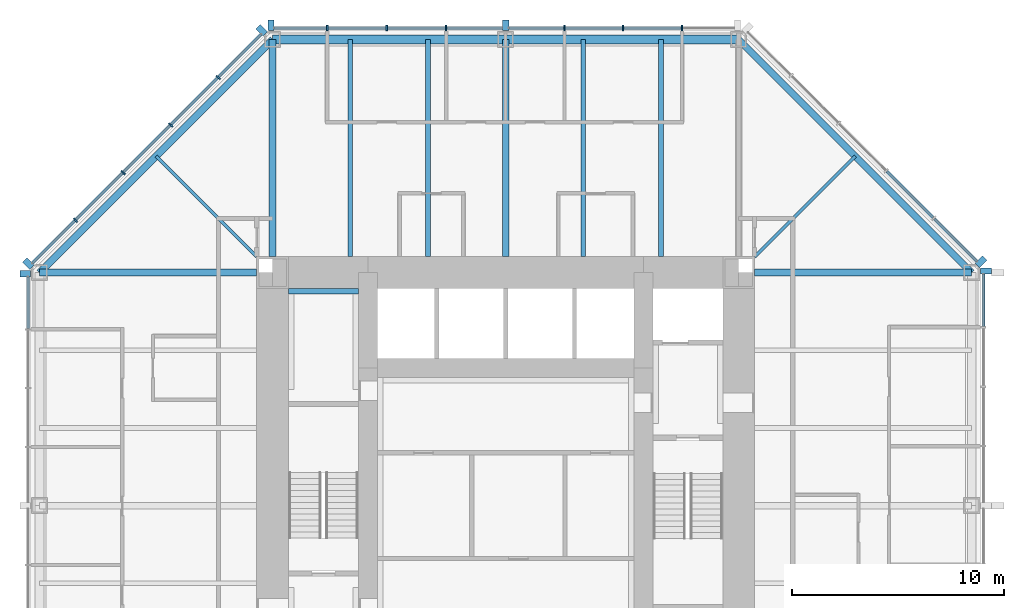
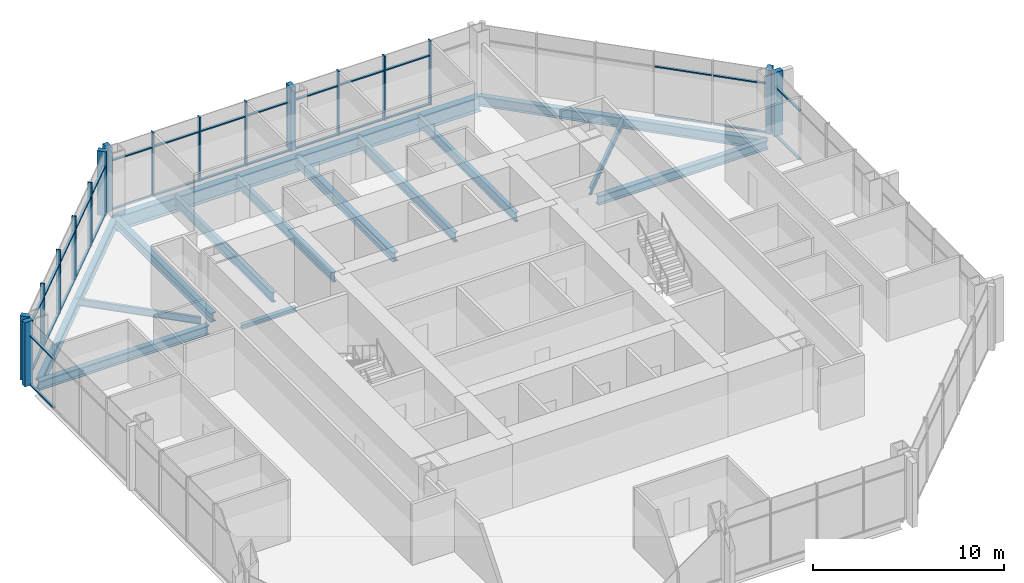
# One storey, part 5 of 12: 49 members, 15 beams, 5 elements without a shape of their own.
"""IFC4 building model written with IfcOpenShell, lengths in metres."""

from ifc_helpers import new_model, si_unit, direction, frame, origin, origin_2d, place, context, subcontext, project, spatial, rectangle, i_section, extrude, material, material_profile, profile_set, type_object, element, aggregate, save


model = new_model("IFC4")

# Units and contexts
model_context = context("Model", 3, precision=1e-05, world=origin(), true_north=direction((0.0, 1.0)))
body_context = subcontext(model_context, "Body", "Model", "MODEL_VIEW")
ifc_project = project(units=[si_unit("LENGTHUNIT", "METRE"), si_unit("AREAUNIT", "SQUARE_METRE"), si_unit("VOLUMEUNIT", "CUBIC_METRE"), si_unit("PLANEANGLEUNIT", "RADIAN"), si_unit("MASSUNIT", "GRAM", prefix="KILO")], contexts=[model_context])

# Site, building, storey
site_placement = place(None, origin())
site = spatial("IfcSite", under=ifc_project, at=site_placement, CompositionType="ELEMENT")
building_placement = place(site_placement, origin())
building = spatial("IfcBuilding", under=site, at=building_placement, Name="Trevanion Tower", CompositionType="ELEMENT")
storey_placement = place(building_placement, frame((0.0, 0.0, 133.60009765625)))
storey = spatial("IfcBuildingStorey", under=building, at=storey_placement, Name="L31", CompositionType="ELEMENT", Elevation=133.60009765625)

# Beams
ifc_material_1 = material(Name="Steel ASTM A992 Grade 50", Category="steel")
ifc_material_profile_1 = material_profile(ifc_material_1, i_section(OverallWidth=0.22900390625, OverallDepth=0.612060546875, WebThickness=0.011962890625, FlangeThickness=0.01953125, at=origin_2d()), Name="W24X84")
ifc_profile_set_1 = profile_set([ifc_material_profile_1], Name="Steel ASTM A992 Grade 50")
beam_type_1 = type_object("IfcBeamType", Name="B7 W24X84", PredefinedType="BEAM", material=ifc_profile_set_1)
for number, where, z_axis, x_axis, name in (
    (1, (7.333251953125, 11.75, -0.49609375), (0.0, 1.0, 0.0), (-1.0, 0.0, 0.0), "B7 L31"),
    (2, (3.666748046875, 11.75, -0.49609375), (0.0, 1.0, 0.0), (-1.0, 0.0, 0.0), "B7 L31"),
    (3, (-3.666748046875, 11.75, -0.49609375), (0.0, 1.0, 0.0), (-1.0, 0.0, 0.0), "B7 L31"),
    (4, (-7.333251953125, 11.75, -0.49609375), (0.0, 1.0, 0.0), (-1.0, 0.0, 0.0), "B7 L31"),
):
    element("IfcBeam", number, at=place(storey_placement, frame(where, z_axis=z_axis, x_axis=x_axis)), inside=storey, type_object=beam_type_1, Name=name, PredefinedType="BEAM", context=body_context, shape_type="SweptSolid", body=[
        extrude(i_section(OverallWidth=0.22900390625, OverallDepth=0.612060546875, WebThickness=0.011962890625, FlangeThickness=0.01953125, at=origin_2d()), origin(), (0.0, 0.0, 1.0), 10.25),
    ])
ifc_material_2 = material(Name="Steel ASTM A992 Grade 50", Category="steel")
ifc_material_profile_2 = material_profile(ifc_material_2, i_section(OverallWidth=0.15234375, OverallDepth=0.449462890625, WebThickness=0.007568359375, FlangeThickness=0.0107421875, at=origin_2d()), Name="W18X35")
ifc_profile_set_2 = profile_set([ifc_material_profile_2], Name="Steel ASTM A992 Grade 50")
beam_type_2 = type_object("IfcBeamType", Name="B8 W18X35", PredefinedType="BEAM", material=ifc_profile_set_2)
for number, where, z_axis, x_axis, name in (
    (5, (11.75, 11.75, -0.414794921875), (0.707106781187, 0.707106781187, 0.0), (-0.707106781187, 0.707106781187, 0.0), "B8 L31"),
    (6, (-11.75, 11.75, -0.414794921875), (-0.707106781187, 0.707106781187, 0.0), (-0.707106781187, -0.707106781187, 0.0), "B8 L31"),
):
    element("IfcBeam", number, at=place(storey_placement, frame(where, z_axis=z_axis, x_axis=x_axis)), inside=storey, type_object=beam_type_2, Name=name, PredefinedType="BEAM", context=body_context, shape_type="SweptSolid", body=[
        extrude(i_section(OverallWidth=0.15234375, OverallDepth=0.449462890625, WebThickness=0.007568359375, FlangeThickness=0.0107421875, at=origin_2d()), origin(), (0.0, 0.0, 1.0), 6.717529296875),
    ])

# Curtain wall, members
ifc_material_3 = material(Name="Aluminium and glass", Category="aluminium")
curtain_wall_type = type_object("IfcCurtainWallType", Name="CW2 curtain wall", PredefinedType="USERDEFINED", material=ifc_material_3)
curtain_wall_1_placement = place(storey_placement, origin())
curtain_wall_1 = element("IfcCurtainWall", 7, at=curtain_wall_1_placement, inside=storey, type_object=curtain_wall_type, Name="CW2 L31 2", ObjectType="UNITISED CURTAIN WALL", PredefinedType="USERDEFINED")
ifc_material_4 = material(Name="Aluminium extrusion, anodised bronze", Category="aluminium")
ifc_material_profile_3 = material_profile(ifc_material_4, rectangle(XDim=0.074951171875, YDim=0.25, at=origin_2d()), Name="CW2 mullion")
ifc_profile_set_3 = profile_set([ifc_material_profile_3], Name="Aluminium extrusion, anodised bronze")
member_type_1 = type_object("IfcMemberType", Name="CW2 mullion", PredefinedType="MULLION", material=ifc_profile_set_3)
member_1_placement = place(storey_placement, frame((8.323486328125, 22.550048828125, -0.190185546875), z_axis=(0.0, 0.0, 1.0), x_axis=(-1.0, 0.0, 0.0)))
member_1 = element("IfcMember", 8, at=member_1_placement, type_object=member_type_1, Name="CW2 mullion 2", PredefinedType="MULLION", context=body_context, shape_type="SweptSolid", body=[
    extrude(rectangle(XDim=0.074951171875, YDim=0.25, at=origin_2d()), origin(), (0.0, 0.0, 1.0), 4.10009765625),
])
member_2_placement = place(storey_placement, frame((5.548828125, 22.550048828125, -0.190185546875), z_axis=(0.0, 0.0, 1.0), x_axis=(-1.0, 0.0, 0.0)))
member_2 = element("IfcMember", 9, at=member_2_placement, type_object=member_type_1, Name="CW2 mullion 3", PredefinedType="MULLION", context=body_context, shape_type="SweptSolid", body=[
    extrude(rectangle(XDim=0.074951171875, YDim=0.25, at=origin_2d()), origin(), (0.0, 0.0, 1.0), 4.10009765625),
])
member_3_placement = place(storey_placement, frame((2.7744140625, 22.550048828125, -0.190185546875), z_axis=(0.0, 0.0, 1.0), x_axis=(-1.0, 0.0, 0.0)))
member_3 = element("IfcMember", 10, at=member_3_placement, type_object=member_type_1, Name="CW2 mullion 4", PredefinedType="MULLION", context=body_context, shape_type="SweptSolid", body=[
    extrude(rectangle(XDim=0.074951171875, YDim=0.25, at=origin_2d()), origin(), (0.0, 0.0, 1.0), 4.10009765625),
])
member_4_placement = place(storey_placement, frame((-2.806884765625, 22.550048828125, -0.190185546875), z_axis=(0.0, 0.0, 1.0), x_axis=(-1.0, 0.0, 0.0)))
member_4 = element("IfcMember", 11, at=member_4_placement, type_object=member_type_1, Name="CW2 mullion 6", PredefinedType="MULLION", context=body_context, shape_type="SweptSolid", body=[
    extrude(rectangle(XDim=0.074951171875, YDim=0.25, at=origin_2d()), origin(), (0.0, 0.0, 1.0), 4.10009765625),
])
member_5_placement = place(storey_placement, frame((-5.614013671875, 22.550048828125, -0.190185546875), z_axis=(0.0, 0.0, 1.0), x_axis=(-1.0, 0.0, 0.0)))
member_5 = element("IfcMember", 12, at=member_5_placement, type_object=member_type_1, Name="CW2 mullion 7", PredefinedType="MULLION", context=body_context, shape_type="SweptSolid", body=[
    extrude(rectangle(XDim=0.074951171875, YDim=0.25, at=origin_2d()), origin(), (0.0, 0.0, 1.0), 4.10009765625),
])
member_6_placement = place(storey_placement, frame((-8.4208984375, 22.550048828125, -0.190185546875), z_axis=(0.0, 0.0, 1.0), x_axis=(-1.0, 0.0, 0.0)))
member_6 = element("IfcMember", 13, at=member_6_placement, type_object=member_type_1, Name="CW2 mullion 8", PredefinedType="MULLION", context=body_context, shape_type="SweptSolid", body=[
    extrude(rectangle(XDim=0.074951171875, YDim=0.25, at=origin_2d()), origin(), (0.0, 0.0, 1.0), 4.10009765625),
])

curtain_wall_2_placement = place(storey_placement, origin())
curtain_wall_2 = element("IfcCurtainWall", 14, at=curtain_wall_2_placement, inside=storey, type_object=curtain_wall_type, Name="CW2 L31 3", ObjectType="UNITISED CURTAIN WALL", PredefinedType="USERDEFINED")
member_7_placement = place(storey_placement, frame((-13.56591796875, 20.2119140625, -0.190185546875), z_axis=(0.0, 0.0, 1.0), x_axis=(-0.707106781187, -0.707106781187, 0.0)))
member_7 = element("IfcMember", 15, at=member_7_placement, type_object=member_type_1, Name="CW2 mullion 2", PredefinedType="MULLION", context=body_context, shape_type="SweptSolid", body=[
    extrude(rectangle(XDim=0.074951171875, YDim=0.25, at=origin_2d()), origin(), (0.0, 0.0, 1.0), 4.10009765625),
])
member_8_placement = place(storey_placement, frame((-15.811767578125, 17.966064453125, -0.190185546875), z_axis=(0.0, 0.0, 1.0), x_axis=(-0.707106781187, -0.707106781187, 0.0)))
member_8 = element("IfcMember", 16, at=member_8_placement, type_object=member_type_1, Name="CW2 mullion 3", PredefinedType="MULLION", context=body_context, shape_type="SweptSolid", body=[
    extrude(rectangle(XDim=0.074951171875, YDim=0.25, at=origin_2d()), origin(), (0.0, 0.0, 1.0), 4.10009765625),
])
member_9_placement = place(storey_placement, frame((-18.057861328125, 15.719970703125, -0.190185546875), z_axis=(0.0, 0.0, 1.0), x_axis=(-0.707106781187, -0.707106781187, 0.0)))
member_9 = element("IfcMember", 17, at=member_9_placement, type_object=member_type_1, Name="CW2 mullion 4", PredefinedType="MULLION", context=body_context, shape_type="SweptSolid", body=[
    extrude(rectangle(XDim=0.074951171875, YDim=0.25, at=origin_2d()), origin(), (0.0, 0.0, 1.0), 4.10009765625),
])
member_10_placement = place(storey_placement, frame((-20.303955078125, 13.473876953125, -0.190185546875), z_axis=(0.0, 0.0, 1.0), x_axis=(-0.707106781187, -0.707106781187, 0.0)))
member_10 = element("IfcMember", 18, at=member_10_placement, type_object=member_type_1, Name="CW2 mullion 5", PredefinedType="MULLION", context=body_context, shape_type="SweptSolid", body=[
    extrude(rectangle(XDim=0.074951171875, YDim=0.25, at=origin_2d()), origin(), (0.0, 0.0, 1.0), 4.10009765625),
])

# Curtain wall, member
curtain_wall_3_placement = place(storey_placement, origin())
curtain_wall_3 = element("IfcCurtainWall", 19, at=curtain_wall_3_placement, inside=storey, type_object=curtain_wall_type, Name="CW2 L31 0", ObjectType="UNITISED CURTAIN WALL", PredefinedType="USERDEFINED")
ifc_material_5 = material(Name="Aluminium extrusion, anodised bronze", Category="aluminium")
ifc_material_profile_4 = material_profile(ifc_material_5, rectangle(XDim=0.300048828125, YDim=0.5, at=origin_2d()), Name="CW2 pier mullion")
ifc_profile_set_4 = profile_set([ifc_material_profile_4], Name="Aluminium extrusion, anodised bronze")
member_type_2 = type_object("IfcMemberType", Name="CW2 pier mullion", PredefinedType="MULLION", material=ifc_profile_set_4)
member_11_placement = place(storey_placement, frame((22.675048828125, 11.077880859375, -0.190185546875), z_axis=(0.0, 0.0, 1.0), x_axis=(0.0, 1.0, 0.0)))
member_11 = element("IfcMember", 20, at=member_11_placement, type_object=member_type_2, Name="CW2 pier mullion 9", PredefinedType="MULLION", context=body_context, shape_type="SweptSolid", body=[
    extrude(rectangle(XDim=0.300048828125, YDim=0.5, at=origin_2d()), origin(), (0.0, 0.0, 1.0), 4.10009765625),
])

curtain_wall_4_placement = place(storey_placement, origin())
curtain_wall_4 = element("IfcCurtainWall", 21, at=curtain_wall_4_placement, inside=storey, type_object=curtain_wall_type, Name="CW2 L31 1", ObjectType="UNITISED CURTAIN WALL", PredefinedType="USERDEFINED")
member_12_placement = place(storey_placement, frame((22.4404296875, 11.51416015625, -0.190185546875), z_axis=(0.0, 0.0, 1.0), x_axis=(-0.707106781187, 0.707106781187, 0.0)))
member_12 = element("IfcMember", 22, at=member_12_placement, type_object=member_type_2, Name="CW2 pier mullion 1", PredefinedType="MULLION", context=body_context, shape_type="SweptSolid", body=[
    extrude(rectangle(XDim=0.300048828125, YDim=0.5, at=origin_2d()), origin(), (0.0, 0.0, 1.0), 4.10009765625),
])

# Member
member_13_placement = place(storey_placement, frame((0.0, 22.675048828125, -0.190185546875), z_axis=(0.0, 0.0, 1.0), x_axis=(-1.0, 0.0, 0.0)))
member_13 = element("IfcMember", 23, at=member_13_placement, type_object=member_type_2, Name="CW2 pier mullion 5", PredefinedType="MULLION", context=body_context, shape_type="SweptSolid", body=[
    extrude(rectangle(XDim=0.300048828125, YDim=0.5, at=origin_2d()), origin(), (0.0, 0.0, 1.0), 4.10009765625),
])

member_14_placement = place(storey_placement, frame((-11.077880859375, 22.675048828125, -0.190185546875), z_axis=(0.0, 0.0, 1.0), x_axis=(-1.0, 0.0, 0.0)))
member_14 = element("IfcMember", 24, at=member_14_placement, type_object=member_type_2, Name="CW2 pier mullion 9", PredefinedType="MULLION", context=body_context, shape_type="SweptSolid", body=[
    extrude(rectangle(XDim=0.300048828125, YDim=0.5, at=origin_2d()), origin(), (0.0, 0.0, 1.0), 4.10009765625),
])

member_15_placement = place(storey_placement, frame((-11.51416015625, 22.4404296875, -0.190185546875), z_axis=(0.0, 0.0, 1.0), x_axis=(-0.707106781187, -0.707106781187, 0.0)))
member_15 = element("IfcMember", 25, at=member_15_placement, type_object=member_type_2, Name="CW2 pier mullion 1", PredefinedType="MULLION", context=body_context, shape_type="SweptSolid", body=[
    extrude(rectangle(XDim=0.300048828125, YDim=0.5, at=origin_2d()), origin(), (0.0, 0.0, 1.0), 4.10009765625),
])

member_16_placement = place(storey_placement, frame((-22.5322265625, 11.42236328125, -0.190185546875), z_axis=(0.0, 0.0, 1.0), x_axis=(-0.707106781187, -0.707106781187, 0.0)))
member_16 = element("IfcMember", 26, at=member_16_placement, type_object=member_type_2, Name="CW2 pier mullion 6", PredefinedType="MULLION", context=body_context, shape_type="SweptSolid", body=[
    extrude(rectangle(XDim=0.300048828125, YDim=0.5, at=origin_2d()), origin(), (0.0, 0.0, 1.0), 4.10009765625),
])

# Curtain wall, member
curtain_wall_5_placement = place(storey_placement, origin())
curtain_wall_5 = element("IfcCurtainWall", 27, at=curtain_wall_5_placement, inside=storey, type_object=curtain_wall_type, Name="CW2 L31 4", ObjectType="UNITISED CURTAIN WALL", PredefinedType="USERDEFINED")
member_17_placement = place(storey_placement, frame((-22.675048828125, 10.94775390625, -0.190185546875), z_axis=(0.0, 0.0, 1.0), x_axis=(0.0, -1.0, 0.0)))
member_17 = element("IfcMember", 28, at=member_17_placement, type_object=member_type_2, Name="CW2 pier mullion 1", PredefinedType="MULLION", context=body_context, shape_type="SweptSolid", body=[
    extrude(rectangle(XDim=0.300048828125, YDim=0.5, at=origin_2d()), origin(), (0.0, 0.0, 1.0), 4.10009765625),
])

# Member
ifc_material_6 = material(Name="Aluminium extrusion, anodised bronze", Category="aluminium")
ifc_material_profile_5 = material_profile(ifc_material_6, rectangle(XDim=0.14990234375, YDim=0.074951171875, at=origin_2d()), Name="CW2 transom")
ifc_profile_set_5 = profile_set([ifc_material_profile_5], Name="Aluminium extrusion, anodised bronze")
member_type_3 = type_object("IfcMemberType", Name="CW2 transom", PredefinedType="USERDEFINED", material=ifc_profile_set_5)
member_18_placement = place(storey_placement, frame((22.550048828125, 8.45849609375, -0.152587890625), z_axis=(0.0, 1.0, 0.0), x_axis=(-1.0, 0.0, 0.0)))
member_18 = element("IfcMember", 29, at=member_18_placement, type_object=member_type_3, Name="CW2 transom 8.1", ObjectType="TRANSOM", PredefinedType="USERDEFINED", context=body_context, shape_type="SweptSolid", body=[
    extrude(rectangle(XDim=0.14990234375, YDim=0.074951171875, at=origin_2d()), origin(), (0.0, 0.0, 1.0), 2.46923828125),
])

member_19_placement = place(storey_placement, frame((22.550048828125, 8.45849609375, 2.9599609375), z_axis=(0.0, 1.0, 0.0), x_axis=(-1.0, 0.0, 0.0)))
member_19 = element("IfcMember", 30, at=member_19_placement, type_object=member_type_3, Name="CW2 transom 8.2", ObjectType="TRANSOM", PredefinedType="USERDEFINED", context=body_context, shape_type="SweptSolid", body=[
    extrude(rectangle(XDim=0.14990234375, YDim=0.074951171875, at=origin_2d()), origin(), (0.0, 0.0, 1.0), 2.46923828125),
])

aggregate(curtain_wall_3, [member_11, member_18, member_19])

member_20_placement = place(storey_placement, frame((22.245849609375, 11.531982421875, -0.152587890625), z_axis=(-0.707106781187, 0.707106781187, 0.0), x_axis=(-0.707106781187, -0.707106781187, 0.0)))
member_20 = element("IfcMember", 31, at=member_20_placement, type_object=member_type_3, Name="CW2 transom 1.1", ObjectType="TRANSOM", PredefinedType="USERDEFINED", context=body_context, shape_type="SweptSolid", body=[
    extrude(rectangle(XDim=0.14990234375, YDim=0.074951171875, at=origin_2d()), origin(), (0.0, 0.0, 1.0), 2.8388671875),
])

member_21_placement = place(storey_placement, frame((22.245849609375, 11.531982421875, 2.9599609375), z_axis=(-0.707106781187, 0.707106781187, 0.0), x_axis=(-0.707106781187, -0.707106781187, 0.0)))
member_21 = element("IfcMember", 32, at=member_21_placement, type_object=member_type_3, Name="CW2 transom 1.2", ObjectType="TRANSOM", PredefinedType="USERDEFINED", context=body_context, shape_type="SweptSolid", body=[
    extrude(rectangle(XDim=0.14990234375, YDim=0.074951171875, at=origin_2d()), origin(), (0.0, 0.0, 1.0), 2.8388671875),
])

member_22_placement = place(storey_placement, frame((20.185546875, 13.59228515625, -0.152587890625), z_axis=(-0.707106781187, 0.707106781187, 0.0), x_axis=(-0.707106781187, -0.707106781187, 0.0)))
member_22 = element("IfcMember", 33, at=member_22_placement, type_object=member_type_3, Name="CW2 transom 2.1", ObjectType="TRANSOM", PredefinedType="USERDEFINED", context=body_context, shape_type="SweptSolid", body=[
    extrude(rectangle(XDim=0.14990234375, YDim=0.074951171875, at=origin_2d()), origin(), (0.0, 0.0, 1.0), 3.1015625),
])

member_23_placement = place(storey_placement, frame((20.185546875, 13.59228515625, 2.9599609375), z_axis=(-0.707106781187, 0.707106781187, 0.0), x_axis=(-0.707106781187, -0.707106781187, 0.0)))
member_23 = element("IfcMember", 34, at=member_23_placement, type_object=member_type_3, Name="CW2 transom 2.2", ObjectType="TRANSOM", PredefinedType="USERDEFINED", context=body_context, shape_type="SweptSolid", body=[
    extrude(rectangle(XDim=0.14990234375, YDim=0.074951171875, at=origin_2d()), origin(), (0.0, 0.0, 1.0), 3.1015625),
])

aggregate(curtain_wall_4, [member_12, member_20, member_21, member_22, member_23])

member_24_placement = place(storey_placement, frame((8.285888671875, 22.550048828125, -0.152587890625), z_axis=(-1.0, 0.0, 0.0), x_axis=(0.0, -1.0, 0.0)))
member_24 = element("IfcMember", 35, at=member_24_placement, type_object=member_type_3, Name="CW2 transom 2.1", ObjectType="TRANSOM", PredefinedType="USERDEFINED", context=body_context, shape_type="SweptSolid", body=[
    extrude(rectangle(XDim=0.14990234375, YDim=0.074951171875, at=origin_2d()), origin(), (0.0, 0.0, 1.0), 2.699462890625),
])

member_25_placement = place(storey_placement, frame((8.285888671875, 22.550048828125, 2.9599609375), z_axis=(-1.0, 0.0, 0.0), x_axis=(0.0, -1.0, 0.0)))
member_25 = element("IfcMember", 36, at=member_25_placement, type_object=member_type_3, Name="CW2 transom 2.2", ObjectType="TRANSOM", PredefinedType="USERDEFINED", context=body_context, shape_type="SweptSolid", body=[
    extrude(rectangle(XDim=0.14990234375, YDim=0.074951171875, at=origin_2d()), origin(), (0.0, 0.0, 1.0), 2.699462890625),
])

member_26_placement = place(storey_placement, frame((5.511474609375, 22.550048828125, -0.152587890625), z_axis=(-1.0, 0.0, 0.0), x_axis=(0.0, -1.0, 0.0)))
member_26 = element("IfcMember", 37, at=member_26_placement, type_object=member_type_3, Name="CW2 transom 3.1", ObjectType="TRANSOM", PredefinedType="USERDEFINED", context=body_context, shape_type="SweptSolid", body=[
    extrude(rectangle(XDim=0.14990234375, YDim=0.074951171875, at=origin_2d()), origin(), (0.0, 0.0, 1.0), 2.699462890625),
])

member_27_placement = place(storey_placement, frame((5.511474609375, 22.550048828125, 2.9599609375), z_axis=(-1.0, 0.0, 0.0), x_axis=(0.0, -1.0, 0.0)))
member_27 = element("IfcMember", 38, at=member_27_placement, type_object=member_type_3, Name="CW2 transom 3.2", ObjectType="TRANSOM", PredefinedType="USERDEFINED", context=body_context, shape_type="SweptSolid", body=[
    extrude(rectangle(XDim=0.14990234375, YDim=0.074951171875, at=origin_2d()), origin(), (0.0, 0.0, 1.0), 2.699462890625),
])

member_28_placement = place(storey_placement, frame((2.737060546875, 22.550048828125, -0.152587890625), z_axis=(-1.0, 0.0, 0.0), x_axis=(0.0, -1.0, 0.0)))
member_28 = element("IfcMember", 39, at=member_28_placement, type_object=member_type_3, Name="CW2 transom 4.1", ObjectType="TRANSOM", PredefinedType="USERDEFINED", context=body_context, shape_type="SweptSolid", body=[
    extrude(rectangle(XDim=0.14990234375, YDim=0.074951171875, at=origin_2d()), origin(), (0.0, 0.0, 1.0), 2.587158203125),
])

member_29_placement = place(storey_placement, frame((2.737060546875, 22.550048828125, 2.9599609375), z_axis=(-1.0, 0.0, 0.0), x_axis=(0.0, -1.0, 0.0)))
member_29 = element("IfcMember", 40, at=member_29_placement, type_object=member_type_3, Name="CW2 transom 4.2", ObjectType="TRANSOM", PredefinedType="USERDEFINED", context=body_context, shape_type="SweptSolid", body=[
    extrude(rectangle(XDim=0.14990234375, YDim=0.074951171875, at=origin_2d()), origin(), (0.0, 0.0, 1.0), 2.587158203125),
])

member_30_placement = place(storey_placement, frame((-0.14990234375, 22.550048828125, -0.152587890625), z_axis=(-1.0, 0.0, 0.0), x_axis=(0.0, -1.0, 0.0)))
member_30 = element("IfcMember", 41, at=member_30_placement, type_object=member_type_3, Name="CW2 transom 5.1", ObjectType="TRANSOM", PredefinedType="USERDEFINED", context=body_context, shape_type="SweptSolid", body=[
    extrude(rectangle(XDim=0.14990234375, YDim=0.074951171875, at=origin_2d()), origin(), (0.0, 0.0, 1.0), 2.619384765625),
])

member_31_placement = place(storey_placement, frame((-0.14990234375, 22.550048828125, 2.9599609375), z_axis=(-1.0, 0.0, 0.0), x_axis=(0.0, -1.0, 0.0)))
member_31 = element("IfcMember", 42, at=member_31_placement, type_object=member_type_3, Name="CW2 transom 5.2", ObjectType="TRANSOM", PredefinedType="USERDEFINED", context=body_context, shape_type="SweptSolid", body=[
    extrude(rectangle(XDim=0.14990234375, YDim=0.074951171875, at=origin_2d()), origin(), (0.0, 0.0, 1.0), 2.619384765625),
])

member_32_placement = place(storey_placement, frame((-2.844482421875, 22.550048828125, -0.152587890625), z_axis=(-1.0, 0.0, 0.0), x_axis=(0.0, -1.0, 0.0)))
member_32 = element("IfcMember", 43, at=member_32_placement, type_object=member_type_3, Name="CW2 transom 6.1", ObjectType="TRANSOM", PredefinedType="USERDEFINED", context=body_context, shape_type="SweptSolid", body=[
    extrude(rectangle(XDim=0.14990234375, YDim=0.074951171875, at=origin_2d()), origin(), (0.0, 0.0, 1.0), 2.73193359375),
])

member_33_placement = place(storey_placement, frame((-2.844482421875, 22.550048828125, 2.9599609375), z_axis=(-1.0, 0.0, 0.0), x_axis=(0.0, -1.0, 0.0)))
member_33 = element("IfcMember", 44, at=member_33_placement, type_object=member_type_3, Name="CW2 transom 6.2", ObjectType="TRANSOM", PredefinedType="USERDEFINED", context=body_context, shape_type="SweptSolid", body=[
    extrude(rectangle(XDim=0.14990234375, YDim=0.074951171875, at=origin_2d()), origin(), (0.0, 0.0, 1.0), 2.73193359375),
])

member_34_placement = place(storey_placement, frame((-5.6513671875, 22.550048828125, -0.152587890625), z_axis=(-1.0, 0.0, 0.0), x_axis=(0.0, -1.0, 0.0)))
member_34 = element("IfcMember", 45, at=member_34_placement, type_object=member_type_3, Name="CW2 transom 7.1", ObjectType="TRANSOM", PredefinedType="USERDEFINED", context=body_context, shape_type="SweptSolid", body=[
    extrude(rectangle(XDim=0.14990234375, YDim=0.074951171875, at=origin_2d()), origin(), (0.0, 0.0, 1.0), 2.73193359375),
])

member_35_placement = place(storey_placement, frame((-5.6513671875, 22.550048828125, 2.9599609375), z_axis=(-1.0, 0.0, 0.0), x_axis=(0.0, -1.0, 0.0)))
member_35 = element("IfcMember", 46, at=member_35_placement, type_object=member_type_3, Name="CW2 transom 7.2", ObjectType="TRANSOM", PredefinedType="USERDEFINED", context=body_context, shape_type="SweptSolid", body=[
    extrude(rectangle(XDim=0.14990234375, YDim=0.074951171875, at=origin_2d()), origin(), (0.0, 0.0, 1.0), 2.73193359375),
])

member_36_placement = place(storey_placement, frame((-8.45849609375, 22.550048828125, -0.152587890625), z_axis=(-1.0, 0.0, 0.0), x_axis=(0.0, -1.0, 0.0)))
member_36 = element("IfcMember", 47, at=member_36_placement, type_object=member_type_3, Name="CW2 transom 8.1", ObjectType="TRANSOM", PredefinedType="USERDEFINED", context=body_context, shape_type="SweptSolid", body=[
    extrude(rectangle(XDim=0.14990234375, YDim=0.074951171875, at=origin_2d()), origin(), (0.0, 0.0, 1.0), 2.46923828125),
])

member_37_placement = place(storey_placement, frame((-8.45849609375, 22.550048828125, 2.9599609375), z_axis=(-1.0, 0.0, 0.0), x_axis=(0.0, -1.0, 0.0)))
member_37 = element("IfcMember", 48, at=member_37_placement, type_object=member_type_3, Name="CW2 transom 8.2", ObjectType="TRANSOM", PredefinedType="USERDEFINED", context=body_context, shape_type="SweptSolid", body=[
    extrude(rectangle(XDim=0.14990234375, YDim=0.074951171875, at=origin_2d()), origin(), (0.0, 0.0, 1.0), 2.46923828125),
])

aggregate(curtain_wall_1, [member_1, member_2, member_3, member_13, member_4, member_5, member_6, member_14, member_24, member_25, member_26, member_27, member_28, member_29, member_30, member_31, member_32, member_33, member_34, member_35, member_36, member_37])

member_38_placement = place(storey_placement, frame((-11.531982421875, 22.245849609375, -0.152587890625), z_axis=(-0.707106781187, -0.707106781187, 0.0), x_axis=(0.707106781187, -0.707106781187, 0.0)))
member_38 = element("IfcMember", 49, at=member_38_placement, type_object=member_type_3, Name="CW2 transom 1.1", ObjectType="TRANSOM", PredefinedType="USERDEFINED", context=body_context, shape_type="SweptSolid", body=[
    extrude(rectangle(XDim=0.14990234375, YDim=0.074951171875, at=origin_2d()), origin(), (0.0, 0.0, 1.0), 2.8388671875),
])

member_39_placement = place(storey_placement, frame((-11.531982421875, 22.245849609375, 2.9599609375), z_axis=(-0.707106781187, -0.707106781187, 0.0), x_axis=(0.707106781187, -0.707106781187, 0.0)))
member_39 = element("IfcMember", 50, at=member_39_placement, type_object=member_type_3, Name="CW2 transom 1.2", ObjectType="TRANSOM", PredefinedType="USERDEFINED", context=body_context, shape_type="SweptSolid", body=[
    extrude(rectangle(XDim=0.14990234375, YDim=0.074951171875, at=origin_2d()), origin(), (0.0, 0.0, 1.0), 2.8388671875),
])

member_40_placement = place(storey_placement, frame((-13.59228515625, 20.185546875, -0.152587890625), z_axis=(-0.707106781187, -0.707106781187, 0.0), x_axis=(0.707106781187, -0.707106781187, 0.0)))
member_40 = element("IfcMember", 51, at=member_40_placement, type_object=member_type_3, Name="CW2 transom 2.1", ObjectType="TRANSOM", PredefinedType="USERDEFINED", context=body_context, shape_type="SweptSolid", body=[
    extrude(rectangle(XDim=0.14990234375, YDim=0.074951171875, at=origin_2d()), origin(), (0.0, 0.0, 1.0), 3.1015625),
])

member_41_placement = place(storey_placement, frame((-13.59228515625, 20.185546875, 2.9599609375), z_axis=(-0.707106781187, -0.707106781187, 0.0), x_axis=(0.707106781187, -0.707106781187, 0.0)))
member_41 = element("IfcMember", 52, at=member_41_placement, type_object=member_type_3, Name="CW2 transom 2.2", ObjectType="TRANSOM", PredefinedType="USERDEFINED", context=body_context, shape_type="SweptSolid", body=[
    extrude(rectangle(XDim=0.14990234375, YDim=0.074951171875, at=origin_2d()), origin(), (0.0, 0.0, 1.0), 3.1015625),
])

member_42_placement = place(storey_placement, frame((-15.83837890625, 17.939453125, -0.152587890625), z_axis=(-0.707106781187, -0.707106781187, 0.0), x_axis=(0.707106781187, -0.707106781187, 0.0)))
member_42 = element("IfcMember", 53, at=member_42_placement, type_object=member_type_3, Name="CW2 transom 3.1", ObjectType="TRANSOM", PredefinedType="USERDEFINED", context=body_context, shape_type="SweptSolid", body=[
    extrude(rectangle(XDim=0.14990234375, YDim=0.074951171875, at=origin_2d()), origin(), (0.0, 0.0, 1.0), 3.1015625),
])

member_43_placement = place(storey_placement, frame((-15.83837890625, 17.939453125, 2.9599609375), z_axis=(-0.707106781187, -0.707106781187, 0.0), x_axis=(0.707106781187, -0.707106781187, 0.0)))
member_43 = element("IfcMember", 54, at=member_43_placement, type_object=member_type_3, Name="CW2 transom 3.2", ObjectType="TRANSOM", PredefinedType="USERDEFINED", context=body_context, shape_type="SweptSolid", body=[
    extrude(rectangle(XDim=0.14990234375, YDim=0.074951171875, at=origin_2d()), origin(), (0.0, 0.0, 1.0), 3.1015625),
])

member_44_placement = place(storey_placement, frame((-18.08447265625, 15.693359375, -0.152587890625), z_axis=(-0.707106781187, -0.707106781187, 0.0), x_axis=(0.707106781187, -0.707106781187, 0.0)))
member_44 = element("IfcMember", 55, at=member_44_placement, type_object=member_type_3, Name="CW2 transom 4.1", ObjectType="TRANSOM", PredefinedType="USERDEFINED", context=body_context, shape_type="SweptSolid", body=[
    extrude(rectangle(XDim=0.14990234375, YDim=0.074951171875, at=origin_2d()), origin(), (0.0, 0.0, 1.0), 3.10107421875),
])

member_45_placement = place(storey_placement, frame((-18.08447265625, 15.693359375, 2.9599609375), z_axis=(-0.707106781187, -0.707106781187, 0.0), x_axis=(0.707106781187, -0.707106781187, 0.0)))
member_45 = element("IfcMember", 56, at=member_45_placement, type_object=member_type_3, Name="CW2 transom 4.2", ObjectType="TRANSOM", PredefinedType="USERDEFINED", context=body_context, shape_type="SweptSolid", body=[
    extrude(rectangle(XDim=0.14990234375, YDim=0.074951171875, at=origin_2d()), origin(), (0.0, 0.0, 1.0), 3.10107421875),
])

member_46_placement = place(storey_placement, frame((-20.33056640625, 13.447509765625, -0.152587890625), z_axis=(-0.707063781595, -0.707149778163, 0.0), x_axis=(0.707149778163, -0.707063781595, 0.0)))
member_46 = element("IfcMember", 57, at=member_46_placement, type_object=member_type_3, Name="CW2 transom 5.1", ObjectType="TRANSOM", PredefinedType="USERDEFINED", context=body_context, shape_type="SweptSolid", body=[
    extrude(rectangle(XDim=0.14990234375, YDim=0.074951171875, at=origin_2d()), origin(), (0.0, 0.0, 1.0), 2.8388671875),
])

member_47_placement = place(storey_placement, frame((-20.33056640625, 13.447509765625, 2.9599609375), z_axis=(-0.707063781595, -0.707149778163, 0.0), x_axis=(0.707149778163, -0.707063781595, 0.0)))
member_47 = element("IfcMember", 58, at=member_47_placement, type_object=member_type_3, Name="CW2 transom 5.2", ObjectType="TRANSOM", PredefinedType="USERDEFINED", context=body_context, shape_type="SweptSolid", body=[
    extrude(rectangle(XDim=0.14990234375, YDim=0.074951171875, at=origin_2d()), origin(), (0.0, 0.0, 1.0), 2.8388671875),
])

aggregate(curtain_wall_2, [member_15, member_7, member_8, member_9, member_10, member_16, member_38, member_39, member_40, member_41, member_42, member_43, member_44, member_45, member_46, member_47])

member_48_placement = place(storey_placement, frame((-22.550048828125, 10.7978515625, -0.152587890625), z_axis=(0.0, -1.0, 0.0), x_axis=(1.0, 0.0, 0.0)))
member_48 = element("IfcMember", 59, at=member_48_placement, type_object=member_type_3, Name="CW2 transom 1.1", ObjectType="TRANSOM", PredefinedType="USERDEFINED", context=body_context, shape_type="SweptSolid", body=[
    extrude(rectangle(XDim=0.14990234375, YDim=0.074951171875, at=origin_2d()), origin(), (0.0, 0.0, 1.0), 2.43701171875),
])

member_49_placement = place(storey_placement, frame((-22.550048828125, 10.7978515625, 2.9599609375), z_axis=(0.0, -1.0, 0.0), x_axis=(1.0, 0.0, 0.0)))
member_49 = element("IfcMember", 60, at=member_49_placement, type_object=member_type_3, Name="CW2 transom 1.2", ObjectType="TRANSOM", PredefinedType="USERDEFINED", context=body_context, shape_type="SweptSolid", body=[
    extrude(rectangle(XDim=0.14990234375, YDim=0.074951171875, at=origin_2d()), origin(), (0.0, 0.0, 1.0), 2.43701171875),
])

aggregate(curtain_wall_5, [member_17, member_48, member_49])

# Beams
ifc_material_7 = material(Name="Steel ASTM A992 Grade 50", Category="steel")
ifc_material_profile_6 = material_profile(ifc_material_7, i_section(OverallWidth=0.320068359375, OverallDepth=0.584228515625, WebThickness=0.023193359375, FlangeThickness=0.04150390625, at=origin_2d()), Name="W21X201")
ifc_profile_set_6 = profile_set([ifc_material_profile_6], Name="Steel ASTM A992 Grade 50")
beam_type_3 = type_object("IfcBeamType", Name="G4 W21X201", PredefinedType="BEAM", material=ifc_profile_set_6)
for number, where, z_axis, x_axis, name in (
    (61, (11.75, 11.0, -0.482177734375), (1.0, 0.0, 0.0), (0.0, 1.0, 0.0), "G4 L31"),
    (62, (0.0, 11.75, -0.482177734375), (0.0, 1.0, 0.0), (-1.0, 0.0, 0.0), "G4 L31"),
    (63, (-11.0, 11.75, -0.482177734375), (0.0, 1.0, 0.0), (-1.0, 0.0, 0.0), "G4 L31"),
    (64, (-11.75, 11.0, -0.482177734375), (-1.0, 0.0, 0.0), (0.0, -1.0, 0.0), "G4 L31"),
):
    element("IfcBeam", number, at=place(storey_placement, frame(where, z_axis=z_axis, x_axis=x_axis)), inside=storey, type_object=beam_type_3, Name=name, PredefinedType="BEAM", context=body_context, shape_type="SweptSolid", body=[
        extrude(i_section(OverallWidth=0.320068359375, OverallDepth=0.584228515625, WebThickness=0.023193359375, FlangeThickness=0.04150390625, at=origin_2d()), origin(), (0.0, 0.0, 1.0), 10.25),
    ])
ifc_material_8 = material(Name="Steel ASTM A992 Grade 50", Category="steel")
ifc_material_profile_7 = material_profile(ifc_material_8, i_section(OverallWidth=0.256591796875, OverallDepth=0.26416015625, WebThickness=0.011962890625, FlangeThickness=0.01953125, at=origin_2d()), Name="W10X68")
ifc_profile_set_7 = profile_set([ifc_material_profile_7], Name="Steel ASTM A992 Grade 50")
beam_type_4 = type_object("IfcBeamType", Name="LB1 W10X68", PredefinedType="BEAM", material=ifc_profile_set_7)
beam_placement = place(storey_placement, frame((-10.25, 10.12158203125, -0.332275390625), z_axis=(1.0, 0.0, 0.0), x_axis=(0.0, 1.0, 0.0)))
element("IfcBeam", 65, at=beam_placement, inside=storey, type_object=beam_type_4, Name="LB1 L31", PredefinedType="BEAM", context=body_context, shape_type="SweptSolid", body=[
    extrude(i_section(OverallWidth=0.256591796875, OverallDepth=0.26416015625, WebThickness=0.011962890625, FlangeThickness=0.01953125, at=origin_2d()), origin(), (0.0, 0.0, 1.0), 3.300048828125),
])
ifc_material_9 = material(Name="Steel ASTM A992 Grade 50", Category="steel")
ifc_material_profile_8 = material_profile(ifc_material_9, i_section(OverallWidth=0.419189453125, OverallDepth=0.927001953125, WebThickness=0.019287109375, FlangeThickness=0.031982421875, at=origin_2d()), Name="W36X231")
ifc_profile_set_8 = profile_set([ifc_material_profile_8], Name="Steel ASTM A992 Grade 50")
beam_type_5 = type_object("IfcBeamType", Name="SB4 W36X231", PredefinedType="SPANDREL", material=ifc_profile_set_8)
for number, where, z_axis, x_axis, name in (
    (66, (11.0, 22.0, -0.65380859375), (-1.0, 0.0, 0.0), (0.0, -1.0, 0.0), "SB4 L31"),
    (67, (0.0, 22.0, -0.65380859375), (-1.0, 0.0, 0.0), (0.0, -1.0, 0.0), "SB4 L31"),
):
    element("IfcBeam", number, at=place(storey_placement, frame(where, z_axis=z_axis, x_axis=x_axis)), inside=storey, type_object=beam_type_5, Name=name, PredefinedType="SPANDREL", context=body_context, shape_type="SweptSolid", body=[
        extrude(i_section(OverallWidth=0.419189453125, OverallDepth=0.927001953125, WebThickness=0.019287109375, FlangeThickness=0.031982421875, at=origin_2d()), origin(), (0.0, 0.0, 1.0), 11.0),
    ])
ifc_material_10 = material(Name="Steel ASTM A992 Grade 50", Category="steel")
ifc_material_profile_9 = material_profile(ifc_material_10, i_section(OverallWidth=0.32763671875, OverallDepth=0.62744140625, WebThickness=0.0166015625, FlangeThickness=0.027587890625, at=origin_2d()), Name="W24X146")
ifc_profile_set_9 = profile_set([ifc_material_profile_9], Name="Steel ASTM A992 Grade 50")
beam_type_6 = type_object("IfcBeamType", Name="SB5 W24X146", PredefinedType="SPANDREL", material=ifc_profile_set_9)
for number, where, z_axis, x_axis, name in (
    (68, (22.0, 11.0, -0.50390625), (-0.707106781187, 0.707106781187, 0.0), (-0.707106781187, -0.707106781187, 0.0), "SB5 L31"),
    (69, (-11.0, 22.0, -0.50390625), (-0.707106781187, -0.707106781187, 0.0), (0.707106781187, -0.707106781187, 0.0), "SB5 L31"),
):
    element("IfcBeam", number, at=place(storey_placement, frame(where, z_axis=z_axis, x_axis=x_axis)), inside=storey, type_object=beam_type_6, Name=name, PredefinedType="SPANDREL", context=body_context, shape_type="SweptSolid", body=[
        extrude(i_section(OverallWidth=0.32763671875, OverallDepth=0.62744140625, WebThickness=0.0166015625, FlangeThickness=0.027587890625, at=origin_2d()), origin(), (0.0, 0.0, 1.0), 15.556396484375),
    ])

save(model, "model.ifc")
